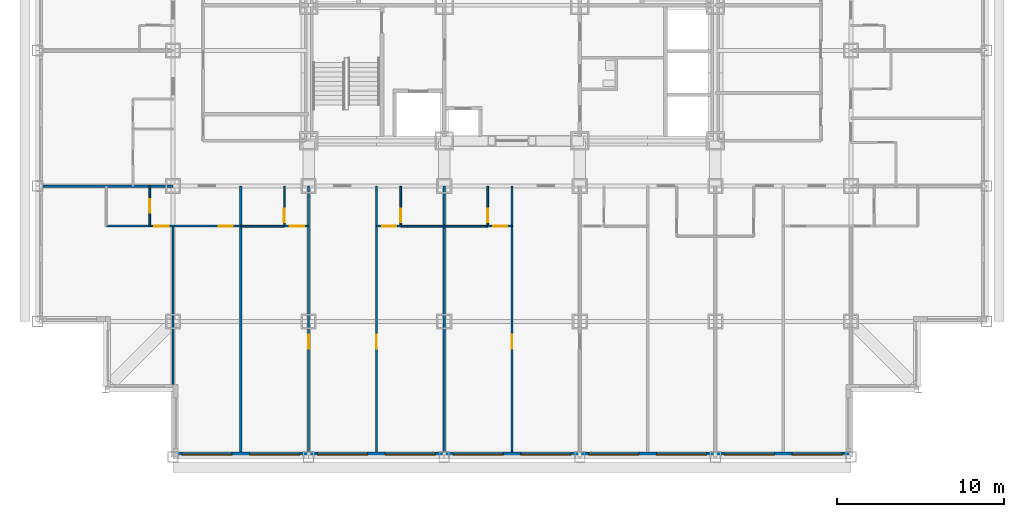
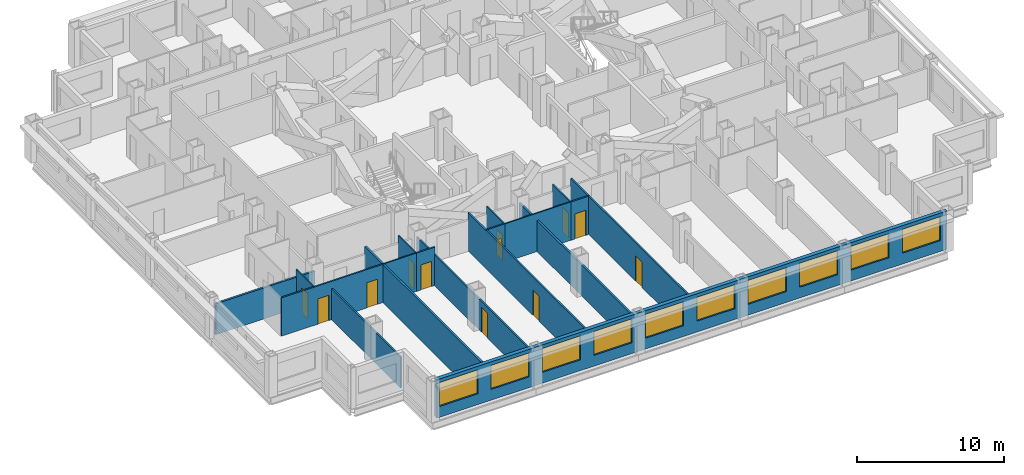
# One storey, part 4 of 14: 18 walls, 12 doors, 10 windows, 22 openings.
"""IFC4 building model written with IfcOpenShell, lengths in metres."""

from ifc_helpers import new_model, si_unit, direction, frame, frame_2d, origin, place, context, subcontext, project, spatial, rectangle, extrude, material, layer, layer_set, type_object, element, fill, save


model = new_model("IFC4")

# Units and contexts
model_context = context("Model", 3, precision=1e-05, world=origin(), true_north=direction((0.0, 1.0)))
body_context = subcontext(model_context, "Body", "Model", "MODEL_VIEW")
ifc_project = project(units=[si_unit("LENGTHUNIT", "METRE"), si_unit("AREAUNIT", "SQUARE_METRE"), si_unit("VOLUMEUNIT", "CUBIC_METRE"), si_unit("PLANEANGLEUNIT", "RADIAN"), si_unit("MASSUNIT", "GRAM", prefix="KILO")], contexts=[model_context])

# Site, building, storey
site_placement = place(None, origin())
site = spatial("IfcSite", under=ifc_project, at=site_placement, CompositionType="ELEMENT")
building_placement = place(site_placement, origin())
building = spatial("IfcBuilding", under=site, at=building_placement, Name="Kopane Lantern Tower", CompositionType="ELEMENT")
storey_placement = place(building_placement, frame((0.0, 0.0, 123.800048828125)))
storey = spatial("IfcBuildingStorey", under=building, at=storey_placement, Name="L31", CompositionType="ELEMENT", Elevation=123.800048828125)

# Wall, opening, door
ifc_material_1 = material(Name="Gypsum board on steel studs", Category="steel")
ifc_layer_1 = layer(ifc_material_1, 0.1201171875)
ifc_layer_set_1 = layer_set([ifc_layer_1], Name="APARTMENT INTERNAL WALL 120")
wall_type_1 = type_object("IfcWallType", Name="APARTMENT INTERNAL WALL 120", PredefinedType="PARTITIONING", material=ifc_layer_set_1)
wall_1_placement = place(storey_placement, frame((16.199951171875, 21.60009765625, 0.0), z_axis=(0.0, 0.0, 1.0), x_axis=(0.0, -1.0, 0.0)))
wall_1 = element("IfcWall", 1, at=wall_1_placement, inside=storey, type_object=wall_type_1, Name="Apartment Internal Wall 120 L31", PredefinedType="PARTITIONING", context=body_context, shape_type="SweptSolid", body=[
    extrude(rectangle(XDim=15.900146484375, YDim=0.1201171875, at=frame_2d((7.9501953125, 0.0))), origin(), (0.0, 0.0, 1.0), 2.57763671875),
])
opening_1_placement = place(wall_1_placement, frame((8.875, 0.0, 0.0)))
opening_1 = element("IfcOpeningElement", 2, at=opening_1_placement, cuts=wall_1, Name="Opening L31-017", PredefinedType="OPENING", context=body_context, shape_type="SweptSolid", body=[
    extrude(rectangle(XDim=0.85009765625, YDim=2.10009765625, at=frame_2d((0.425048828125, 1.050048828125))), frame((0.0, 0.070068359375, 0.0), z_axis=(0.0, -1.0, 0.0), x_axis=(1.0, 0.0, 0.0)), (0.0, 0.0, 1.0), 0.14013671875),
])
ifc_material_2 = material(Name="Timber door set", Category="wood")
door_type_1 = type_object("IfcDoorType", Name="DOOR D4 850x2100", OperationType="SINGLE_SWING_LEFT", PredefinedType="DOOR", material=ifc_material_2)
door_1_placement = place(opening_1_placement, origin())
door_1 = element("IfcDoor", 3, at=door_1_placement, inside=storey, type_object=door_type_1, Name="Door L31-017", OperationType="SINGLE_SWING_RIGHT", OverallHeight=2.10009765625, OverallWidth=0.85009765625, PredefinedType="DOOR", context=body_context, shape_type="SweptSolid", body=[
    extrude(rectangle(XDim=0.85009765625, YDim=2.10009765625, at=frame_2d((0.425048828125, 1.050048828125))), frame((0.0, 0.02490234375, 0.0), z_axis=(0.0, -1.0, 0.0), x_axis=(1.0, 0.0, 0.0)), (0.0, 0.0, 1.0), 0.050048828125),
])
fill(opening_1, door_1)

wall_2_placement = place(storey_placement, frame((20.25, 21.60009765625, 0.0), z_axis=(0.0, 0.0, 1.0), x_axis=(0.0, -1.0, 0.0)))
wall_2 = element("IfcWall", 4, at=wall_2_placement, inside=storey, type_object=wall_type_1, Name="Apartment Internal Wall 120 L31", PredefinedType="PARTITIONING", context=body_context, shape_type="SweptSolid", body=[
    extrude(rectangle(XDim=15.900146484375, YDim=0.1201171875, at=frame_2d((7.9501953125, 0.0))), origin(), (0.0, 0.0, 1.0), 3.18994140625),
])
opening_2_placement = place(wall_2_placement, frame((8.875, 0.0, 0.0)))
opening_2 = element("IfcOpeningElement", 5, at=opening_2_placement, cuts=wall_2, Name="Opening L31-019", PredefinedType="OPENING", context=body_context, shape_type="SweptSolid", body=[
    extrude(rectangle(XDim=0.85009765625, YDim=2.10009765625, at=frame_2d((0.425048828125, 1.050048828125))), frame((0.0, 0.070068359375, 0.0), z_axis=(0.0, -1.0, 0.0), x_axis=(1.0, 0.0, 0.0)), (0.0, 0.0, 1.0), 0.14013671875),
])
door_2_placement = place(opening_2_placement, origin())
door_2 = element("IfcDoor", 6, at=door_2_placement, inside=storey, type_object=door_type_1, Name="Door L31-019", OperationType="SINGLE_SWING_LEFT", OverallHeight=2.10009765625, OverallWidth=0.85009765625, PredefinedType="DOOR", context=body_context, shape_type="SweptSolid", body=[
    extrude(rectangle(XDim=0.85009765625, YDim=2.10009765625, at=frame_2d((0.425048828125, 1.050048828125))), frame((0.0, 0.02490234375, 0.0), z_axis=(0.0, -1.0, 0.0), x_axis=(1.0, 0.0, 0.0)), (0.0, 0.0, 1.0), 0.050048828125),
])
fill(opening_2, door_2)

wall_3_placement = place(storey_placement, frame((28.35009765625, 21.60009765625, 0.0), z_axis=(0.0, 0.0, 1.0), x_axis=(0.0, -1.0, 0.0)))
wall_3 = element("IfcWall", 7, at=wall_3_placement, inside=storey, type_object=wall_type_1, Name="Apartment Internal Wall 120 L31", PredefinedType="PARTITIONING", context=body_context, shape_type="SweptSolid", body=[
    extrude(rectangle(XDim=15.900146484375, YDim=0.1201171875, at=frame_2d((7.9501953125, 0.0))), origin(), (0.0, 0.0, 1.0), 3.18994140625),
])
opening_3_placement = place(wall_3_placement, frame((8.875, 0.0, 0.0)))
opening_3 = element("IfcOpeningElement", 8, at=opening_3_placement, cuts=wall_3, Name="Opening L31-022", PredefinedType="OPENING", context=body_context, shape_type="SweptSolid", body=[
    extrude(rectangle(XDim=0.85009765625, YDim=2.10009765625, at=frame_2d((0.425048828125, 1.050048828125))), frame((0.0, 0.070068359375, 0.0), z_axis=(0.0, -1.0, 0.0), x_axis=(1.0, 0.0, 0.0)), (0.0, 0.0, 1.0), 0.14013671875),
])
door_3_placement = place(opening_3_placement, origin())
door_3 = element("IfcDoor", 9, at=door_3_placement, inside=storey, type_object=door_type_1, Name="Door L31-022", OperationType="SINGLE_SWING_RIGHT", OverallHeight=2.10009765625, OverallWidth=0.85009765625, PredefinedType="DOOR", context=body_context, shape_type="SweptSolid", body=[
    extrude(rectangle(XDim=0.85009765625, YDim=2.10009765625, at=frame_2d((0.425048828125, 1.050048828125))), frame((0.0, 0.02490234375, 0.0), z_axis=(0.0, -1.0, 0.0), x_axis=(1.0, 0.0, 0.0)), (0.0, 0.0, 1.0), 0.050048828125),
])
fill(opening_3, door_3)

# Wall, openings, doors
wall_4_placement = place(storey_placement, frame((4.10009765625, 19.199951171875, 0.0), z_axis=(0.0, 0.0, 1.0), x_axis=(1.0, 0.0, 0.0)))
wall_4 = element("IfcWall", 10, at=wall_4_placement, inside=storey, type_object=wall_type_1, Name="Apartment Internal Wall 120 L31", PredefinedType="PARTITIONING", context=body_context, shape_type="SweptSolid", body=[
    extrude(rectangle(XDim=8.0498046875, YDim=0.1201171875, at=frame_2d((4.02490234375, 0.0))), origin(), (0.0, 0.0, 1.0), 3.18994140625),
])
opening_4_placement = place(wall_4_placement, frame((6.72509765625, 0.0, 0.0)))
opening_4 = element("IfcOpeningElement", 11, at=opening_4_placement, cuts=wall_4, Name="Opening L31-066", PredefinedType="OPENING", context=body_context, shape_type="SweptSolid", body=[
    extrude(rectangle(XDim=0.85009765625, YDim=2.10009765625, at=frame_2d((0.425048828125, 1.050048828125))), frame((0.0, 0.070068359375, 0.0), z_axis=(0.0, -1.0, 0.0), x_axis=(1.0, 0.0, 0.0)), (0.0, 0.0, 1.0), 0.14013671875),
])
opening_5_placement = place(wall_4_placement, frame((2.875, 0.0, 0.0)))
opening_5 = element("IfcOpeningElement", 12, at=opening_5_placement, cuts=wall_4, Name="Opening L31-068", PredefinedType="OPENING", context=body_context, shape_type="SweptSolid", body=[
    extrude(rectangle(XDim=0.85009765625, YDim=2.10009765625, at=frame_2d((0.425048828125, 1.050048828125))), frame((0.0, 0.070068359375, 0.0), z_axis=(0.0, -1.0, 0.0), x_axis=(1.0, 0.0, 0.0)), (0.0, 0.0, 1.0), 0.14013671875),
])
door_4_placement = place(opening_4_placement, origin())
door_4 = element("IfcDoor", 13, at=door_4_placement, inside=storey, type_object=door_type_1, Name="Door L31-066", OperationType="SINGLE_SWING_RIGHT", OverallHeight=2.10009765625, OverallWidth=0.85009765625, PredefinedType="DOOR", context=body_context, shape_type="SweptSolid", body=[
    extrude(rectangle(XDim=0.85009765625, YDim=2.10009765625, at=frame_2d((0.425048828125, 1.050048828125))), frame((0.0, 0.02490234375, 0.0), z_axis=(0.0, -1.0, 0.0), x_axis=(1.0, 0.0, 0.0)), (0.0, 0.0, 1.0), 0.050048828125),
])
fill(opening_4, door_4)
door_5_placement = place(opening_5_placement, origin())
door_5 = element("IfcDoor", 14, at=door_5_placement, inside=storey, type_object=door_type_1, Name="Door L31-068", OperationType="SINGLE_SWING_LEFT", OverallHeight=2.10009765625, OverallWidth=0.85009765625, PredefinedType="DOOR", context=body_context, shape_type="SweptSolid", body=[
    extrude(rectangle(XDim=0.85009765625, YDim=2.10009765625, at=frame_2d((0.425048828125, 1.050048828125))), frame((0.0, 0.02490234375, 0.0), z_axis=(0.0, -1.0, 0.0), x_axis=(1.0, 0.0, 0.0)), (0.0, 0.0, 1.0), 0.050048828125),
])
fill(opening_5, door_5)

# Wall
wall_5_placement = place(storey_placement, frame((8.10009765625, 19.199951171875, 0.0), z_axis=(0.0, 0.0, 1.0), x_axis=(0.0, -1.0, 0.0)))
element("IfcWall", 15, at=wall_5_placement, inside=storey, type_object=wall_type_1, Name="Apartment Internal Wall 120 L31", PredefinedType="PARTITIONING", context=body_context, shape_type="SweptSolid", body=[
    extrude(rectangle(XDim=9.449951171875, YDim=0.1201171875, at=frame_2d((4.72509765625, 0.0))), origin(), (0.0, 0.0, 1.0), 2.57763671875),
])

# Wall, opening, door
wall_6_placement = place(storey_placement, frame((16.199951171875, 19.199951171875, 0.0), z_axis=(0.0, 0.0, 1.0), x_axis=(-1.0, 0.0, 0.0)))
wall_6 = element("IfcWall", 16, at=wall_6_placement, inside=storey, type_object=wall_type_1, Name="Apartment Internal Wall 120 L31", PredefinedType="PARTITIONING", context=body_context, shape_type="SweptSolid", body=[
    extrude(rectangle(XDim=1.4599609375, YDim=0.1201171875, at=frame_2d((0.72998046875, 0.0))), origin(), (0.0, 0.0, 1.0), 3.18994140625),
])
opening_6_placement = place(wall_6_placement, frame((0.27490234375, 0.0, 0.0)))
opening_6 = element("IfcOpeningElement", 17, at=opening_6_placement, cuts=wall_6, Name="Opening L31-079", PredefinedType="OPENING", context=body_context, shape_type="SweptSolid", body=[
    extrude(rectangle(XDim=0.85009765625, YDim=2.10009765625, at=frame_2d((0.425048828125, 1.050048828125))), frame((0.0, 0.070068359375, 0.0), z_axis=(0.0, -1.0, 0.0), x_axis=(1.0, 0.0, 0.0)), (0.0, 0.0, 1.0), 0.14013671875),
])
door_6_placement = place(opening_6_placement, origin())
door_6 = element("IfcDoor", 18, at=door_6_placement, inside=storey, type_object=door_type_1, Name="Door L31-079", OperationType="SINGLE_SWING_LEFT", OverallHeight=2.10009765625, OverallWidth=0.85009765625, PredefinedType="DOOR", context=body_context, shape_type="SweptSolid", body=[
    extrude(rectangle(XDim=0.85009765625, YDim=2.10009765625, at=frame_2d((0.425048828125, 1.050048828125))), frame((0.0, 0.02490234375, 0.0), z_axis=(0.0, -1.0, 0.0), x_axis=(1.0, 0.0, 0.0)), (0.0, 0.0, 1.0), 0.050048828125),
])
fill(opening_6, door_6)

wall_7_placement = place(storey_placement, frame((21.7099609375, 19.199951171875, 0.0), z_axis=(0.0, 0.0, 1.0), x_axis=(-1.0, 0.0, 0.0)))
wall_7 = element("IfcWall", 19, at=wall_7_placement, inside=storey, type_object=wall_type_1, Name="Apartment Internal Wall 120 L31", PredefinedType="PARTITIONING", context=body_context, shape_type="SweptSolid", body=[
    extrude(rectangle(XDim=1.4599609375, YDim=0.1201171875, at=frame_2d((0.72998046875, 0.0))), origin(), (0.0, 0.0, 1.0), 3.18994140625),
])
opening_7_placement = place(wall_7_placement, frame((0.27490234375, 0.0, 0.0)))
opening_7 = element("IfcOpeningElement", 20, at=opening_7_placement, cuts=wall_7, Name="Opening L31-080", PredefinedType="OPENING", context=body_context, shape_type="SweptSolid", body=[
    extrude(rectangle(XDim=0.85009765625, YDim=2.10009765625, at=frame_2d((0.425048828125, 1.050048828125))), frame((0.0, 0.070068359375, 0.0), z_axis=(0.0, -1.0, 0.0), x_axis=(1.0, 0.0, 0.0)), (0.0, 0.0, 1.0), 0.14013671875),
])
door_7_placement = place(opening_7_placement, origin())
door_7 = element("IfcDoor", 21, at=door_7_placement, inside=storey, type_object=door_type_1, Name="Door L31-080", OperationType="SINGLE_SWING_RIGHT", OverallHeight=2.10009765625, OverallWidth=0.85009765625, PredefinedType="DOOR", context=body_context, shape_type="SweptSolid", body=[
    extrude(rectangle(XDim=0.85009765625, YDim=2.10009765625, at=frame_2d((0.425048828125, 1.050048828125))), frame((0.0, 0.02490234375, 0.0), z_axis=(0.0, -1.0, 0.0), x_axis=(1.0, 0.0, 0.0)), (0.0, 0.0, 1.0), 0.050048828125),
])
fill(opening_7, door_7)

wall_8_placement = place(storey_placement, frame((28.35009765625, 19.199951171875, 0.0), z_axis=(0.0, 0.0, 1.0), x_axis=(-1.0, 0.0, 0.0)))
wall_8 = element("IfcWall", 22, at=wall_8_placement, inside=storey, type_object=wall_type_1, Name="Apartment Internal Wall 120 L31", PredefinedType="PARTITIONING", context=body_context, shape_type="SweptSolid", body=[
    extrude(rectangle(XDim=1.460205078125, YDim=0.1201171875, at=frame_2d((0.72998046875, 0.0))), origin(), (0.0, 0.0, 1.0), 3.18994140625),
])
opening_8_placement = place(wall_8_placement, frame((0.27490234375, 0.0, 0.0)))
opening_8 = element("IfcOpeningElement", 23, at=opening_8_placement, cuts=wall_8, Name="Opening L31-081", PredefinedType="OPENING", context=body_context, shape_type="SweptSolid", body=[
    extrude(rectangle(XDim=0.85009765625, YDim=2.10009765625, at=frame_2d((0.425048828125, 1.050048828125))), frame((0.0, 0.070068359375, 0.0), z_axis=(0.0, -1.0, 0.0), x_axis=(1.0, 0.0, 0.0)), (0.0, 0.0, 1.0), 0.14013671875),
])
door_8_placement = place(opening_8_placement, origin())
door_8 = element("IfcDoor", 24, at=door_8_placement, inside=storey, type_object=door_type_1, Name="Door L31-081", OperationType="SINGLE_SWING_LEFT", OverallHeight=2.10009765625, OverallWidth=0.85009765625, PredefinedType="DOOR", context=body_context, shape_type="SweptSolid", body=[
    extrude(rectangle(XDim=0.85009765625, YDim=2.10009765625, at=frame_2d((0.425048828125, 1.050048828125))), frame((0.0, 0.02490234375, 0.0), z_axis=(0.0, -1.0, 0.0), x_axis=(1.0, 0.0, 0.0)), (0.0, 0.0, 1.0), 0.050048828125),
])
fill(opening_8, door_8)

# Wall
ifc_material_3 = material(Name="Moisture-resistant board on steel studs", Category="steel")
ifc_layer_2 = layer(ifc_material_3, 0.10009765625)
ifc_layer_set_2 = layer_set([ifc_layer_2], Name="BATHROOM WALL 100")
wall_type_2 = type_object("IfcWallType", Name="BATHROOM WALL 100", PredefinedType="PARTITIONING", material=ifc_layer_set_2)
wall_9_placement = place(storey_placement, frame((12.14990234375, 19.199951171875, 0.0), z_axis=(0.0, 0.0, 1.0), x_axis=(1.0, 0.0, 0.0)))
element("IfcWall", 25, at=wall_9_placement, inside=storey, type_object=wall_type_2, Name="Bathroom Wall 100 L31", PredefinedType="PARTITIONING", context=body_context, shape_type="SweptSolid", body=[
    extrude(rectangle(XDim=2.60009765625, YDim=0.10009765625, at=frame_2d((1.300048828125, 0.0))), origin(), (0.0, 0.0, 1.0), 3.18994140625),
])

# Wall, opening, door
wall_10_placement = place(storey_placement, frame((14.75, 21.60009765625, 0.0), z_axis=(0.0, 0.0, 1.0), x_axis=(0.0, -1.0, 0.0)))
wall_10 = element("IfcWall", 26, at=wall_10_placement, inside=storey, type_object=wall_type_2, Name="Bathroom Wall 100 L31", PredefinedType="PARTITIONING", context=body_context, shape_type="SweptSolid", body=[
    extrude(rectangle(XDim=2.400146484375, YDim=0.10009765625, at=frame_2d((1.2001953125, 0.0))), origin(), (0.0, 0.0, 1.0), 3.18994140625),
])
opening_9_placement = place(wall_10_placement, frame((1.35009765625, 0.0, 0.0)))
opening_9 = element("IfcOpeningElement", 27, at=opening_9_placement, cuts=wall_10, Name="Opening L31-016", PredefinedType="OPENING", context=body_context, shape_type="SweptSolid", body=[
    extrude(rectangle(XDim=0.800048828125, YDim=2.10009765625, at=frame_2d((0.39990234375, 1.050048828125))), frame((0.0, 0.06005859375, 0.0), z_axis=(0.0, -1.0, 0.0), x_axis=(1.0, 0.0, 0.0)), (0.0, 0.0, 1.0), 0.1201171875),
])
ifc_material_4 = material(Name="Timber door set", Category="wood")
door_type_2 = type_object("IfcDoorType", Name="DOOR D2 800x2100", OperationType="SINGLE_SWING_LEFT", PredefinedType="DOOR", material=ifc_material_4)
door_9_placement = place(opening_9_placement, origin())
door_9 = element("IfcDoor", 28, at=door_9_placement, inside=storey, type_object=door_type_2, Name="Door L31-016", OperationType="SINGLE_SWING_RIGHT", OverallHeight=2.10009765625, OverallWidth=0.800048828125, PredefinedType="DOOR", context=body_context, shape_type="SweptSolid", body=[
    extrude(rectangle(XDim=0.800048828125, YDim=2.10009765625, at=frame_2d((0.39990234375, 1.050048828125))), frame((0.0, 0.02490234375, 0.0), z_axis=(0.0, -1.0, 0.0), x_axis=(1.0, 0.0, 0.0)), (0.0, 0.0, 1.0), 0.050048828125),
])
fill(opening_9, door_9)

# Wall
wall_11_placement = place(storey_placement, frame((21.699951171875, 19.199951171875, 0.0), z_axis=(0.0, 0.0, 1.0), x_axis=(1.0, 0.0, 0.0)))
element("IfcWall", 29, at=wall_11_placement, inside=storey, type_object=wall_type_2, Name="Bathroom Wall 100 L31", PredefinedType="PARTITIONING", context=body_context, shape_type="SweptSolid", body=[
    extrude(rectangle(XDim=5.199951171875, YDim=0.10009765625, at=frame_2d((2.60009765625, 0.0))), origin(), (0.0, 0.0, 1.0), 3.18994140625),
])

# Wall, opening, door
wall_12_placement = place(storey_placement, frame((21.699951171875, 21.60009765625, 0.0), z_axis=(0.0, 0.0, 1.0), x_axis=(0.0, -1.0, 0.0)))
wall_12 = element("IfcWall", 30, at=wall_12_placement, inside=storey, type_object=wall_type_2, Name="Bathroom Wall 100 L31", PredefinedType="PARTITIONING", context=body_context, shape_type="SweptSolid", body=[
    extrude(rectangle(XDim=2.400146484375, YDim=0.10009765625, at=frame_2d((1.2001953125, 0.0))), origin(), (0.0, 0.0, 1.0), 3.18994140625),
])
opening_10_placement = place(wall_12_placement, frame((1.35009765625, 0.0, 0.0)))
opening_10 = element("IfcOpeningElement", 31, at=opening_10_placement, cuts=wall_12, Name="Opening L31-018", PredefinedType="OPENING", context=body_context, shape_type="SweptSolid", body=[
    extrude(rectangle(XDim=0.800048828125, YDim=2.10009765625, at=frame_2d((0.39990234375, 1.050048828125))), frame((0.0, 0.06005859375, 0.0), z_axis=(0.0, -1.0, 0.0), x_axis=(1.0, 0.0, 0.0)), (0.0, 0.0, 1.0), 0.1201171875),
])
door_10_placement = place(opening_10_placement, origin())
door_10 = element("IfcDoor", 32, at=door_10_placement, inside=storey, type_object=door_type_2, Name="Door L31-018", OperationType="SINGLE_SWING_LEFT", OverallHeight=2.10009765625, OverallWidth=0.800048828125, PredefinedType="DOOR", context=body_context, shape_type="SweptSolid", body=[
    extrude(rectangle(XDim=0.800048828125, YDim=2.10009765625, at=frame_2d((0.39990234375, 1.050048828125))), frame((0.0, 0.02490234375, 0.0), z_axis=(0.0, -1.0, 0.0), x_axis=(1.0, 0.0, 0.0)), (0.0, 0.0, 1.0), 0.050048828125),
])
fill(opening_10, door_10)

wall_13_placement = place(storey_placement, frame((26.89990234375, 21.60009765625, 0.0), z_axis=(0.0, 0.0, 1.0), x_axis=(0.0, -1.0, 0.0)))
wall_13 = element("IfcWall", 33, at=wall_13_placement, inside=storey, type_object=wall_type_2, Name="Bathroom Wall 100 L31", PredefinedType="PARTITIONING", context=body_context, shape_type="SweptSolid", body=[
    extrude(rectangle(XDim=2.400146484375, YDim=0.10009765625, at=frame_2d((1.2001953125, 0.0))), origin(), (0.0, 0.0, 1.0), 3.18994140625),
])
opening_11_placement = place(wall_13_placement, frame((1.35009765625, 0.0, 0.0)))
opening_11 = element("IfcOpeningElement", 34, at=opening_11_placement, cuts=wall_13, Name="Opening L31-021", PredefinedType="OPENING", context=body_context, shape_type="SweptSolid", body=[
    extrude(rectangle(XDim=0.800048828125, YDim=2.10009765625, at=frame_2d((0.39990234375, 1.050048828125))), frame((0.0, 0.06005859375, 0.0), z_axis=(0.0, -1.0, 0.0), x_axis=(1.0, 0.0, 0.0)), (0.0, 0.0, 1.0), 0.1201171875),
])
door_11_placement = place(opening_11_placement, origin())
door_11 = element("IfcDoor", 35, at=door_11_placement, inside=storey, type_object=door_type_2, Name="Door L31-021", OperationType="SINGLE_SWING_RIGHT", OverallHeight=2.10009765625, OverallWidth=0.800048828125, PredefinedType="DOOR", context=body_context, shape_type="SweptSolid", body=[
    extrude(rectangle(XDim=0.800048828125, YDim=2.10009765625, at=frame_2d((0.39990234375, 1.050048828125))), frame((0.0, 0.02490234375, 0.0), z_axis=(0.0, -1.0, 0.0), x_axis=(1.0, 0.0, 0.0)), (0.0, 0.0, 1.0), 0.050048828125),
])
fill(opening_11, door_11)

wall_14_placement = place(storey_placement, frame((6.699951171875, 21.60009765625, 0.0), z_axis=(0.0, 0.0, 1.0), x_axis=(0.0, -1.0, 0.0)))
wall_14 = element("IfcWall", 36, at=wall_14_placement, inside=storey, type_object=wall_type_2, Name="Bathroom Wall 100 L31", PredefinedType="PARTITIONING", context=body_context, shape_type="SweptSolid", body=[
    extrude(rectangle(XDim=2.400146484375, YDim=0.10009765625, at=frame_2d((1.2001953125, 0.0))), origin(), (0.0, 0.0, 1.0), 3.18994140625),
])
opening_12_placement = place(wall_14_placement, frame((0.800048828125, 0.0, 0.0)))
opening_12 = element("IfcOpeningElement", 37, at=opening_12_placement, cuts=wall_14, Name="Opening L31-067", PredefinedType="OPENING", context=body_context, shape_type="SweptSolid", body=[
    extrude(rectangle(XDim=0.800048828125, YDim=2.10009765625, at=frame_2d((0.39990234375, 1.050048828125))), frame((0.0, 0.06005859375, 0.0), z_axis=(0.0, -1.0, 0.0), x_axis=(1.0, 0.0, 0.0)), (0.0, 0.0, 1.0), 0.1201171875),
])
door_12_placement = place(opening_12_placement, origin())
door_12 = element("IfcDoor", 38, at=door_12_placement, inside=storey, type_object=door_type_2, Name="Door L31-067", OperationType="SINGLE_SWING_RIGHT", OverallHeight=2.10009765625, OverallWidth=0.800048828125, PredefinedType="DOOR", context=body_context, shape_type="SweptSolid", body=[
    extrude(rectangle(XDim=0.800048828125, YDim=2.10009765625, at=frame_2d((0.39990234375, 1.050048828125))), frame((0.0, 0.02490234375, 0.0), z_axis=(0.0, -1.0, 0.0), x_axis=(1.0, 0.0, 0.0)), (0.0, 0.0, 1.0), 0.050048828125),
])
fill(opening_12, door_12)

# Walls
ifc_material_5 = material(Name="Gypsum board on steel studs", Category="steel")
ifc_layer_3 = layer(ifc_material_5, 0.14990234375)
ifc_layer_set_3 = layer_set([ifc_layer_3], Name="DEMISING WALL 150 EI 60")
wall_type_3 = type_object("IfcWallType", Name="DEMISING WALL 150 EI 60", PredefinedType="PARTITIONING", material=ifc_layer_set_3)
wall_15_placement = place(storey_placement, frame((24.300048828125, 21.60009765625, 0.0), z_axis=(0.0, 0.0, 1.0), x_axis=(0.0, -1.0, 0.0)))
element("IfcWall", 39, at=wall_15_placement, inside=storey, type_object=wall_type_3, Name="Demising Wall 150 Ei 60 L31", PredefinedType="PARTITIONING", context=body_context, shape_type="SweptSolid", body=[
    extrude(rectangle(XDim=15.900146484375, YDim=0.14990234375, at=frame_2d((7.9501953125, 0.0))), origin(), (0.0, 0.0, 1.0), 2.57763671875),
])
wall_16_placement = place(storey_placement, frame((0.300048828125, 21.60009765625, 0.0), z_axis=(0.0, 0.0, 1.0), x_axis=(1.0, 0.0, 0.0)))
element("IfcWall", 40, at=wall_16_placement, inside=storey, type_object=wall_type_3, Name="Demising Wall 150 Ei 60 L31", PredefinedType="PARTITIONING", context=body_context, shape_type="SweptSolid", body=[
    extrude(rectangle(XDim=7.800048828125, YDim=0.14990234375, at=frame_2d((3.89990234375, 0.0))), origin(), (0.0, 0.0, 1.0), 2.57763671875),
])
wall_17_placement = place(storey_placement, frame((12.14990234375, 21.60009765625, 0.0), z_axis=(0.0, 0.0, 1.0), x_axis=(0.0, -1.0, 0.0)))
element("IfcWall", 41, at=wall_17_placement, inside=storey, type_object=wall_type_3, Name="Demising Wall 150 Ei 60 L31", PredefinedType="PARTITIONING", context=body_context, shape_type="SweptSolid", body=[
    extrude(rectangle(XDim=15.900146484375, YDim=0.14990234375, at=frame_2d((7.9501953125, 0.0))), origin(), (0.0, 0.0, 1.0), 3.18994140625),
])

# Wall, openings, windows
ifc_material_6 = material(Name="Terracotta rainscreen on light steel framing", Category="masonry")
ifc_layer_4 = layer(ifc_material_6, 0.300048828125)
ifc_layer_set_4 = layer_set([ifc_layer_4], Name="EXTERNAL WALL EW1 300 TERRACOTTA")
wall_type_4 = type_object("IfcWallType", Name="EXTERNAL WALL EW1 300 TERRACOTTA", PredefinedType="SOLIDWALL", material=ifc_layer_set_4)
wall_18_placement = place(storey_placement, frame((8.39990234375, 5.550048828125, 0.0), z_axis=(0.0, 0.0, 1.0), x_axis=(1.0, 0.0, 0.0)))
wall_18 = element("IfcWall", 42, at=wall_18_placement, inside=storey, type_object=wall_type_4, Name="External wall S L31", PredefinedType="SOLIDWALL", context=body_context, shape_type="SweptSolid", body=[
    extrude(rectangle(XDim=40.2001953125, YDim=0.300048828125, at=frame_2d((20.10009765625, 0.0))), origin(), (0.0, 0.0, 1.0), 3.18994140625),
])
opening_13_placement = place(wall_18_placement, frame((0.22509765625, 0.0, 0.89990234375)))
opening_13 = element("IfcOpeningElement", 43, at=opening_13_placement, cuts=wall_18, Name="Opening WR300200", PredefinedType="OPENING", context=body_context, shape_type="SweptSolid", body=[
    extrude(rectangle(XDim=3.0, YDim=2.0, at=frame_2d((1.5, 1.0))), frame((0.0, 0.159912109375, 0.0), z_axis=(0.0, -1.0, 0.0), x_axis=(1.0, 0.0, 0.0)), (0.0, 0.0, 1.0), 0.320068359375),
])
opening_14_placement = place(wall_18_placement, frame((4.27490234375, 0.0, 0.89990234375)))
opening_14 = element("IfcOpeningElement", 44, at=opening_14_placement, cuts=wall_18, Name="Opening WR300200", PredefinedType="OPENING", context=body_context, shape_type="SweptSolid", body=[
    extrude(rectangle(XDim=3.0, YDim=2.0, at=frame_2d((1.5, 1.0))), frame((0.0, 0.159912109375, 0.0), z_axis=(0.0, -1.0, 0.0), x_axis=(1.0, 0.0, 0.0)), (0.0, 0.0, 1.0), 0.320068359375),
])
opening_15_placement = place(wall_18_placement, frame((8.324951171875, 0.0, 0.89990234375)))
opening_15 = element("IfcOpeningElement", 45, at=opening_15_placement, cuts=wall_18, Name="Opening WR300200", PredefinedType="OPENING", context=body_context, shape_type="SweptSolid", body=[
    extrude(rectangle(XDim=3.0, YDim=2.0, at=frame_2d((1.5, 1.0))), frame((0.0, 0.159912109375, 0.0), z_axis=(0.0, -1.0, 0.0), x_axis=(1.0, 0.0, 0.0)), (0.0, 0.0, 1.0), 0.320068359375),
])
opening_16_placement = place(wall_18_placement, frame((12.375, 0.0, 0.89990234375)))
opening_16 = element("IfcOpeningElement", 46, at=opening_16_placement, cuts=wall_18, Name="Opening WR300200", PredefinedType="OPENING", context=body_context, shape_type="SweptSolid", body=[
    extrude(rectangle(XDim=3.0, YDim=2.0, at=frame_2d((1.5, 1.0))), frame((0.0, 0.159912109375, 0.0), z_axis=(0.0, -1.0, 0.0), x_axis=(1.0, 0.0, 0.0)), (0.0, 0.0, 1.0), 0.320068359375),
])
opening_17_placement = place(wall_18_placement, frame((16.425048828125, 0.0, 0.89990234375)))
opening_17 = element("IfcOpeningElement", 47, at=opening_17_placement, cuts=wall_18, Name="Opening WR300200", PredefinedType="OPENING", context=body_context, shape_type="SweptSolid", body=[
    extrude(rectangle(XDim=3.0, YDim=2.0, at=frame_2d((1.5, 1.0))), frame((0.0, 0.159912109375, 0.0), z_axis=(0.0, -1.0, 0.0), x_axis=(1.0, 0.0, 0.0)), (0.0, 0.0, 1.0), 0.320068359375),
])
opening_18_placement = place(wall_18_placement, frame((20.47509765625, 0.0, 0.89990234375)))
opening_18 = element("IfcOpeningElement", 48, at=opening_18_placement, cuts=wall_18, Name="Opening WR300200", PredefinedType="OPENING", context=body_context, shape_type="SweptSolid", body=[
    extrude(rectangle(XDim=3.0, YDim=2.0, at=frame_2d((1.5, 1.0))), frame((0.0, 0.159912109375, 0.0), z_axis=(0.0, -1.0, 0.0), x_axis=(1.0, 0.0, 0.0)), (0.0, 0.0, 1.0), 0.320068359375),
])
opening_19_placement = place(wall_18_placement, frame((24.52490234375, 0.0, 0.89990234375)))
opening_19 = element("IfcOpeningElement", 49, at=opening_19_placement, cuts=wall_18, Name="Opening WR300200", PredefinedType="OPENING", context=body_context, shape_type="SweptSolid", body=[
    extrude(rectangle(XDim=3.0, YDim=2.0, at=frame_2d((1.5, 1.0))), frame((0.0, 0.159912109375, 0.0), z_axis=(0.0, -1.0, 0.0), x_axis=(1.0, 0.0, 0.0)), (0.0, 0.0, 1.0), 0.320068359375),
])
opening_20_placement = place(wall_18_placement, frame((28.574951171875, 0.0, 0.89990234375)))
opening_20 = element("IfcOpeningElement", 50, at=opening_20_placement, cuts=wall_18, Name="Opening WR300200", PredefinedType="OPENING", context=body_context, shape_type="SweptSolid", body=[
    extrude(rectangle(XDim=3.0, YDim=2.0, at=frame_2d((1.5, 1.0))), frame((0.0, 0.159912109375, 0.0), z_axis=(0.0, -1.0, 0.0), x_axis=(1.0, 0.0, 0.0)), (0.0, 0.0, 1.0), 0.320068359375),
])
opening_21_placement = place(wall_18_placement, frame((32.625, 0.0, 0.89990234375)))
opening_21 = element("IfcOpeningElement", 51, at=opening_21_placement, cuts=wall_18, Name="Opening WR300200", PredefinedType="OPENING", context=body_context, shape_type="SweptSolid", body=[
    extrude(rectangle(XDim=3.0, YDim=2.0, at=frame_2d((1.5, 1.0))), frame((0.0, 0.159912109375, 0.0), z_axis=(0.0, -1.0, 0.0), x_axis=(1.0, 0.0, 0.0)), (0.0, 0.0, 1.0), 0.320068359375),
])
opening_22_placement = place(wall_18_placement, frame((36.675048828125, 0.0, 0.89990234375)))
opening_22 = element("IfcOpeningElement", 52, at=opening_22_placement, cuts=wall_18, Name="Opening WR300200", PredefinedType="OPENING", context=body_context, shape_type="SweptSolid", body=[
    extrude(rectangle(XDim=3.0, YDim=2.0, at=frame_2d((1.5, 1.0))), frame((0.0, 0.159912109375, 0.0), z_axis=(0.0, -1.0, 0.0), x_axis=(1.0, 0.0, 0.0)), (0.0, 0.0, 1.0), 0.320068359375),
])
ifc_material_7 = material(Name="Aluminium and clear glass", Category="aluminium")
window_type = type_object("IfcWindowType", Name="RIBBON WINDOW WR300200 3000x2000", PartitioningType="SINGLE_PANEL", PredefinedType="WINDOW", material=ifc_material_7)
window_1_placement = place(opening_13_placement, origin())
window_1 = element("IfcWindow", 53, at=window_1_placement, inside=storey, type_object=window_type, Name="Window S L31", OverallHeight=2.0, OverallWidth=3.0, PartitioningType="SINGLE_PANEL", PredefinedType="WINDOW", context=body_context, shape_type="SweptSolid", body=[
    extrude(rectangle(XDim=3.0, YDim=2.0, at=frame_2d((1.5, 1.0))), frame((0.0, 0.030029296875, 0.0), z_axis=(0.0, -1.0, 0.0), x_axis=(1.0, 0.0, 0.0)), (0.0, 0.0, 1.0), 0.06005859375),
])
fill(opening_13, window_1)
window_2_placement = place(opening_14_placement, origin())
window_2 = element("IfcWindow", 54, at=window_2_placement, inside=storey, type_object=window_type, Name="Window S L31", OverallHeight=2.0, OverallWidth=3.0, PartitioningType="SINGLE_PANEL", PredefinedType="WINDOW", context=body_context, shape_type="SweptSolid", body=[
    extrude(rectangle(XDim=3.0, YDim=2.0, at=frame_2d((1.5, 1.0))), frame((0.0, 0.030029296875, 0.0), z_axis=(0.0, -1.0, 0.0), x_axis=(1.0, 0.0, 0.0)), (0.0, 0.0, 1.0), 0.06005859375),
])
fill(opening_14, window_2)
window_3_placement = place(opening_15_placement, origin())
window_3 = element("IfcWindow", 55, at=window_3_placement, inside=storey, type_object=window_type, Name="Window S L31", OverallHeight=2.0, OverallWidth=3.0, PartitioningType="SINGLE_PANEL", PredefinedType="WINDOW", context=body_context, shape_type="SweptSolid", body=[
    extrude(rectangle(XDim=3.0, YDim=2.0, at=frame_2d((1.5, 1.0))), frame((0.0, 0.030029296875, 0.0), z_axis=(0.0, -1.0, 0.0), x_axis=(1.0, 0.0, 0.0)), (0.0, 0.0, 1.0), 0.06005859375),
])
fill(opening_15, window_3)
window_4_placement = place(opening_16_placement, origin())
window_4 = element("IfcWindow", 56, at=window_4_placement, inside=storey, type_object=window_type, Name="Window S L31", OverallHeight=2.0, OverallWidth=3.0, PartitioningType="SINGLE_PANEL", PredefinedType="WINDOW", context=body_context, shape_type="SweptSolid", body=[
    extrude(rectangle(XDim=3.0, YDim=2.0, at=frame_2d((1.5, 1.0))), frame((0.0, 0.030029296875, 0.0), z_axis=(0.0, -1.0, 0.0), x_axis=(1.0, 0.0, 0.0)), (0.0, 0.0, 1.0), 0.06005859375),
])
fill(opening_16, window_4)
window_5_placement = place(opening_17_placement, origin())
window_5 = element("IfcWindow", 57, at=window_5_placement, inside=storey, type_object=window_type, Name="Window S L31", OverallHeight=2.0, OverallWidth=3.0, PartitioningType="SINGLE_PANEL", PredefinedType="WINDOW", context=body_context, shape_type="SweptSolid", body=[
    extrude(rectangle(XDim=3.0, YDim=2.0, at=frame_2d((1.5, 1.0))), frame((0.0, 0.030029296875, 0.0), z_axis=(0.0, -1.0, 0.0), x_axis=(1.0, 0.0, 0.0)), (0.0, 0.0, 1.0), 0.06005859375),
])
fill(opening_17, window_5)
window_6_placement = place(opening_18_placement, origin())
window_6 = element("IfcWindow", 58, at=window_6_placement, inside=storey, type_object=window_type, Name="Window S L31", OverallHeight=2.0, OverallWidth=3.0, PartitioningType="SINGLE_PANEL", PredefinedType="WINDOW", context=body_context, shape_type="SweptSolid", body=[
    extrude(rectangle(XDim=3.0, YDim=2.0, at=frame_2d((1.5, 1.0))), frame((0.0, 0.030029296875, 0.0), z_axis=(0.0, -1.0, 0.0), x_axis=(1.0, 0.0, 0.0)), (0.0, 0.0, 1.0), 0.06005859375),
])
fill(opening_18, window_6)
window_7_placement = place(opening_19_placement, origin())
window_7 = element("IfcWindow", 59, at=window_7_placement, inside=storey, type_object=window_type, Name="Window S L31", OverallHeight=2.0, OverallWidth=3.0, PartitioningType="SINGLE_PANEL", PredefinedType="WINDOW", context=body_context, shape_type="SweptSolid", body=[
    extrude(rectangle(XDim=3.0, YDim=2.0, at=frame_2d((1.5, 1.0))), frame((0.0, 0.030029296875, 0.0), z_axis=(0.0, -1.0, 0.0), x_axis=(1.0, 0.0, 0.0)), (0.0, 0.0, 1.0), 0.06005859375),
])
fill(opening_19, window_7)
window_8_placement = place(opening_20_placement, origin())
window_8 = element("IfcWindow", 60, at=window_8_placement, inside=storey, type_object=window_type, Name="Window S L31", OverallHeight=2.0, OverallWidth=3.0, PartitioningType="SINGLE_PANEL", PredefinedType="WINDOW", context=body_context, shape_type="SweptSolid", body=[
    extrude(rectangle(XDim=3.0, YDim=2.0, at=frame_2d((1.5, 1.0))), frame((0.0, 0.030029296875, 0.0), z_axis=(0.0, -1.0, 0.0), x_axis=(1.0, 0.0, 0.0)), (0.0, 0.0, 1.0), 0.06005859375),
])
fill(opening_20, window_8)
window_9_placement = place(opening_21_placement, origin())
window_9 = element("IfcWindow", 61, at=window_9_placement, inside=storey, type_object=window_type, Name="Window S L31", OverallHeight=2.0, OverallWidth=3.0, PartitioningType="SINGLE_PANEL", PredefinedType="WINDOW", context=body_context, shape_type="SweptSolid", body=[
    extrude(rectangle(XDim=3.0, YDim=2.0, at=frame_2d((1.5, 1.0))), frame((0.0, 0.030029296875, 0.0), z_axis=(0.0, -1.0, 0.0), x_axis=(1.0, 0.0, 0.0)), (0.0, 0.0, 1.0), 0.06005859375),
])
fill(opening_21, window_9)
window_10_placement = place(opening_22_placement, origin())
window_10 = element("IfcWindow", 62, at=window_10_placement, inside=storey, type_object=window_type, Name="Window S L31", OverallHeight=2.0, OverallWidth=3.0, PartitioningType="SINGLE_PANEL", PredefinedType="WINDOW", context=body_context, shape_type="SweptSolid", body=[
    extrude(rectangle(XDim=3.0, YDim=2.0, at=frame_2d((1.5, 1.0))), frame((0.0, 0.030029296875, 0.0), z_axis=(0.0, -1.0, 0.0), x_axis=(1.0, 0.0, 0.0)), (0.0, 0.0, 1.0), 0.06005859375),
])
fill(opening_22, window_10)

save(model, "model.ifc")
